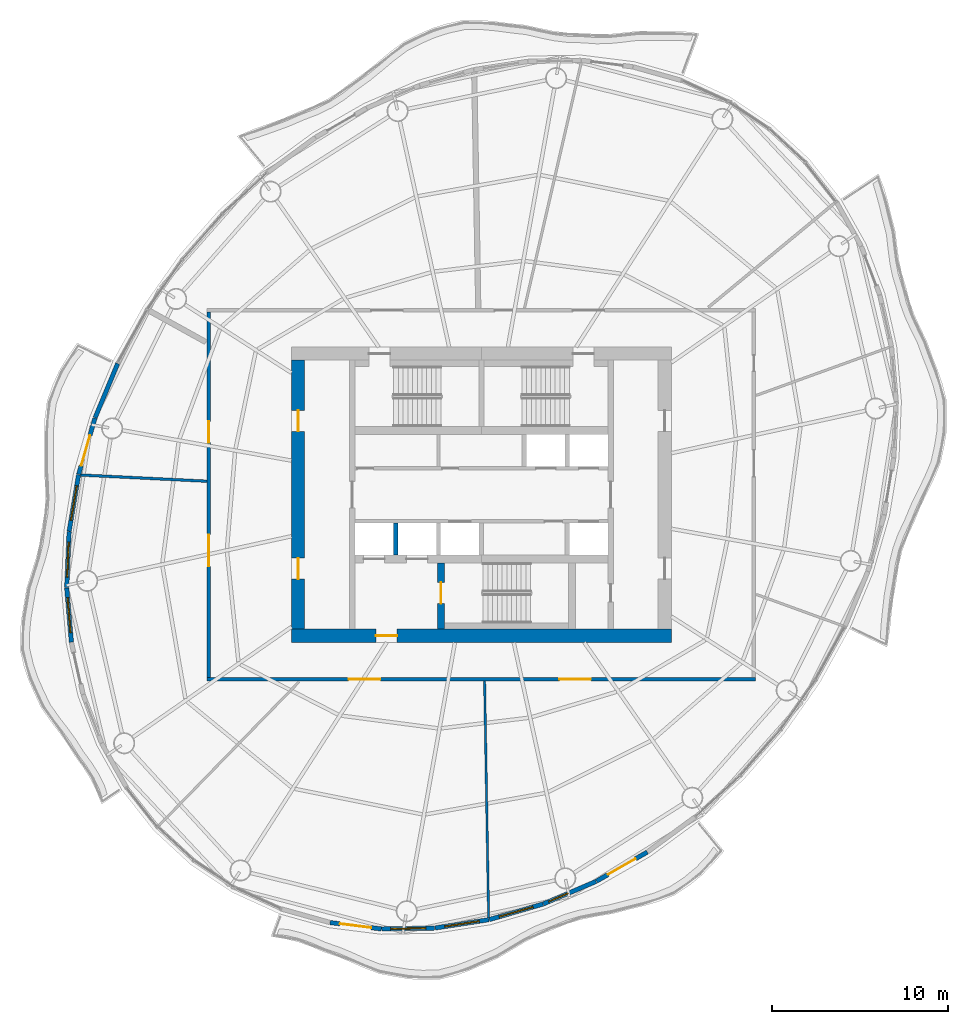
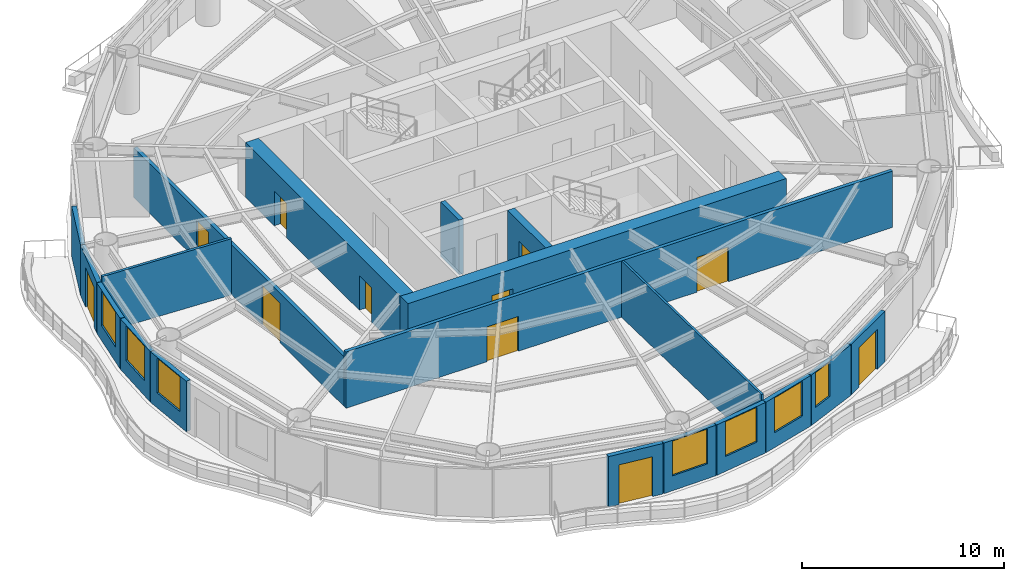
# One storey, part 8 of 14: 19 walls, 11 doors, 7 windows, 18 openings.
"""IFC4 building model written with IfcOpenShell, lengths in metres."""

import ifcopenshell
import ifcopenshell.guid

model = None  # the IFC model being written
_history = None  # IfcOwnerHistory: only IFC2X3 demands one
_inside = {}  # id of a spatial element -> (the spatial element, [elements in it])
_under = {}  # id of a project, library or spatial element -> (it, [spatial elements below it])
_declared = {}  # id of a project -> (the project, [libraries it declares])
_typed = {}  # id of a type object -> (the type object, [elements of that type])
_made_of = {}  # id of a material, layer set ... -> (it, [elements and type objects made of it])


def new_model(schema):
    """Start an empty IFC model of exactly this schema.

    Asked for "IFC4X3", IfcOpenShell would pick the latest addendum, in which some entities
    have other attributes; the version numbers below select the first issue.
    IFC2X3 requires an IfcOwnerHistory on every rooted entity: one is made here for all.
    """
    global model, _history
    if schema == "IFC4X3":
        model = ifcopenshell.file(schema_version=(4, 3, 0, 0))
    else:
        model = ifcopenshell.file(schema=schema)
    _inside.clear()
    _under.clear()
    _declared.clear()
    _typed.clear()
    _made_of.clear()
    _history = None
    if model.schema == "IFC2X3":
        org = make("IfcOrganization", Name="unknown")
        user = make(
            "IfcPersonAndOrganization",
            ThePerson=make("IfcPerson", FamilyName="unknown"),
            TheOrganization=org,
        )
        app = make(
            "IfcApplication",
            ApplicationDeveloper=org,
            Version="unknown",
            ApplicationFullName="unknown",
            ApplicationIdentifier="unknown",
        )
        _history = make(
            "IfcOwnerHistory",
            OwningUser=user,
            OwningApplication=app,
            ChangeAction="ADDED",
            CreationDate=0,
        )
    return model


def make(cls, **values):
    """One entity of the class cls with the attributes given. An attribute that is None is left unset."""
    return model.create_entity(
        cls, **{name: value for name, value in values.items() if value is not None}
    )


def rooted(cls, **values):
    """An entity with a GlobalId (a new one), such as an element, a storey or a relation."""
    return make(cls, GlobalId=ifcopenshell.guid.new(), OwnerHistory=_history, **values)


def si_unit(unit_type, name, prefix=None):
    """IfcSIUnit, for example si_unit("LENGTHUNIT", "METRE", prefix="MILLI")."""
    return make("IfcSIUnit", UnitType=unit_type, Prefix=prefix, Name=name)


def assignment(units):
    """IfcUnitAssignment: the units of a project."""
    return None if units is None else make("IfcUnitAssignment", Units=units)


def point(xyz):
    """IfcCartesianPoint."""
    return None if xyz is None else make("IfcCartesianPoint", Coordinates=xyz)


def direction(xyz):
    """IfcDirection."""
    return None if xyz is None else make("IfcDirection", DirectionRatios=xyz)


def frame(location, z_axis=None, x_axis=None):
    """IfcAxis2Placement3D, a coordinate frame: its origin and axes. An axis left out is left unset."""
    return make(
        "IfcAxis2Placement3D",
        Location=point(location),
        Axis=direction(z_axis),
        RefDirection=direction(x_axis),
    )


def frame_2d(location, x_axis=None):
    """IfcAxis2Placement2D, a coordinate frame in the plane: its origin and x axis."""
    return make(
        "IfcAxis2Placement2D", Location=point(location), RefDirection=direction(x_axis)
    )


def origin():
    """The frame at (0, 0, 0) with its axes left unset."""
    return frame((0.0, 0.0, 0.0))


def place(relative_to, where):
    """IfcLocalPlacement: puts the frame where relative to a parent placement (None: the world)."""
    return make(
        "IfcLocalPlacement", PlacementRelTo=relative_to, RelativePlacement=where
    )


def context(
    kind, dimensions, precision=None, world=None, true_north=None, identifier=None
):
    """IfcGeometricRepresentationContext, for example the 3D "Model" context."""
    return make(
        "IfcGeometricRepresentationContext",
        ContextIdentifier=identifier,
        ContextType=kind,
        CoordinateSpaceDimension=dimensions,
        Precision=precision,
        WorldCoordinateSystem=world,
        TrueNorth=true_north,
    )


def subcontext(parent, identifier, kind, view, scale=None):
    """IfcGeometricRepresentationSubContext, for example "Body" below "Model"."""
    return make(
        "IfcGeometricRepresentationSubContext",
        ContextIdentifier=identifier,
        ContextType=kind,
        ParentContext=parent,
        TargetScale=scale,
        TargetView=view,
    )


def project(units=None, contexts=None):
    """IfcProject with its units and contexts."""
    return rooted(
        "IfcProject",
        Name="project",
        RepresentationContexts=contexts,
        UnitsInContext=assignment(units),
    )


def spatial(cls, under=None, at=None, **own):
    """A site, building, storey or space (cls), placed at a placement, below another one or the project."""
    s = rooted(cls, ObjectPlacement=at, **own)
    if under is not None:
        _under.setdefault(under.id(), (under, []))[1].append(s)
    return s


def profile(cls, at=None, kind="AREA", **sizes):
    """A parametric profile (cls). Its sizes go by their IFC names, for example OverallWidth=200.0."""
    return make(cls, ProfileType=kind, Position=at, **sizes)


def rectangle(**sizes):
    """IfcRectangleProfileDef."""
    return profile("IfcRectangleProfileDef", **sizes)


def extrude(swept, where, along, depth):
    """IfcExtrudedAreaSolid: the profile swept, set in the frame where, extruded along a direction by depth."""
    return make(
        "IfcExtrudedAreaSolid",
        SweptArea=swept,
        Position=where,
        ExtrudedDirection=direction(along),
        Depth=depth,
    )


def shape(context_of_items, identifier, shape_type, items):
    """IfcShapeRepresentation: the items that make up one representation, for example the "Body"."""
    return make(
        "IfcShapeRepresentation",
        ContextOfItems=context_of_items,
        RepresentationIdentifier=identifier,
        RepresentationType=shape_type,
        Items=items,
    )


def material(Name=None, Category=None):
    """IfcMaterial."""
    return make("IfcMaterial", Name=Name, Category=Category)


def layer(
    of_material, thickness, ventilated=None, Name=None, Category=None, Priority=None
):
    """IfcMaterialLayer: one layer of a wall or slab, of a material (None: an air gap)."""
    return make(
        "IfcMaterialLayer",
        Material=of_material,
        LayerThickness=thickness,
        IsVentilated=ventilated,
        Name=Name,
        Category=Category,
        Priority=Priority,
    )


def layer_set(layers, Name=None):
    """IfcMaterialLayerSet."""
    return make("IfcMaterialLayerSet", MaterialLayers=layers, LayerSetName=Name)


def made_of(thing, what):
    """Note that an element or type object is made of a material, layer set ...; save() writes the relation."""
    if what is not None:
        _made_of.setdefault(what.id(), (what, []))[1].append(thing)
    return thing


def type_object(cls, material=None, **own):
    """A type object (cls), such as IfcWallType, which elements share."""
    return made_of(rooted(cls, **own), material)


def element(
    cls,
    number,
    at=None,
    inside=None,
    cuts=None,
    type_object=None,
    material=None,
    context=None,
    identifier="Body",
    shape_type=None,
    held_by="IfcProductDefinitionShape",
    body=None,
    shapes=None,
    **own,
):
    """One element of the class cls, such as IfcWall. Its Tag is "e" and its number.

    at: its placement. inside: the storey or other place that contains it. cuts: it is an
    opening in that element (IfcRelVoidsElement). A single representation is given by context,
    identifier, shape_type and body (its items); several are given by shapes. held_by: the class
    of the entity that holds the representations. save() writes the other relations.
    """
    e = rooted(cls, Tag="e%d" % number, ObjectPlacement=at, **own)
    if body is not None:
        shapes = [shape(context, identifier, shape_type, body)]
    if shapes is not None:
        e.Representation = make(held_by, Representations=shapes)
    if inside is not None:
        _inside.setdefault(inside.id(), (inside, []))[1].append(e)
    if cuts is not None:
        rooted(
            "IfcRelVoidsElement", RelatingBuildingElement=cuts, RelatedOpeningElement=e
        )
    if type_object is not None:
        _typed.setdefault(type_object.id(), (type_object, []))[1].append(e)
    return made_of(e, material)


def fill(opening, filler):
    """IfcRelFillsElement: the door or window that sits in an opening."""
    return rooted(
        "IfcRelFillsElement",
        RelatingOpeningElement=opening,
        RelatedBuildingElement=filler,
    )


def aggregate(whole, parts):
    """IfcRelAggregates: a whole, such as a stair, and the parts it consists of."""
    return rooted("IfcRelAggregates", RelatingObject=whole, RelatedObjects=parts)


def save(model, path):
    """Write the relations noted so far, then the file.

    IfcRelAggregates (storeys below a building ...), IfcRelContainedInSpatialStructure (elements
    in a storey), IfcRelDefinesByType, IfcRelAssociatesMaterial and IfcRelDeclares: one each for
    every whole, place, type object, material and project.
    """
    for whole, parts in _under.values():
        aggregate(whole, parts)
    for where, things in _inside.values():
        rooted(
            "IfcRelContainedInSpatialStructure",
            RelatedElements=things,
            RelatingStructure=where,
        )
    for kind, things in _typed.values():
        rooted("IfcRelDefinesByType", RelatedObjects=things, RelatingType=kind)
    for what, things in _made_of.values():
        rooted("IfcRelAssociatesMaterial", RelatedObjects=things, RelatingMaterial=what)
    for by, libraries in _declared.values():
        rooted("IfcRelDeclares", RelatingContext=by, RelatedDefinitions=libraries)
    model.write(path)


model = new_model("IFC4")

# Units and contexts
model_context = context("Model", 3, precision=1e-05, world=origin(), true_north=direction((0.0, 1.0)))
body_context = subcontext(model_context, "Body", "Model", "MODEL_VIEW")
ifc_project = project(units=[si_unit("LENGTHUNIT", "METRE"), si_unit("AREAUNIT", "SQUARE_METRE"), si_unit("VOLUMEUNIT", "CUBIC_METRE"), si_unit("PLANEANGLEUNIT", "RADIAN"), si_unit("MASSUNIT", "GRAM", prefix="KILO")], contexts=[model_context])

# Site, building, storey
site_placement = place(None, origin())
site = spatial("IfcSite", under=ifc_project, at=site_placement, CompositionType="ELEMENT")
building_placement = place(site_placement, origin())
building = spatial("IfcBuilding", under=site, at=building_placement, Name="Vermilion Reach Broadcast Tower", CompositionType="ELEMENT")
storey_placement = place(building_placement, frame((0.0, 0.0, 238.89990234375)))
storey = spatial("IfcBuildingStorey", under=building, at=storey_placement, Name="L59", CompositionType="ELEMENT", Elevation=238.89990234375)

# Wall, opening, door
ifc_material_1 = material(Name="Concrete C60", Category="concrete")
ifc_layer_1 = layer(ifc_material_1, 0.39990234375)
ifc_layer_set_1 = layer_set([ifc_layer_1], Name="Core inner wall 400 mm Concrete C60")
wall_type_1 = type_object("IfcWallType", Name="Core inner wall 400 mm Concrete C60", PredefinedType="SHEAR", material=ifc_layer_set_1)
wall_1_placement = place(storey_placement, frame((-8.300048828125, -3.8798828125, 0.0), z_axis=(0.0, 0.0, 1.0), x_axis=(0.0, -1.0, 0.0)))
wall_1 = element("IfcWall", 1, at=wall_1_placement, inside=storey, type_object=wall_type_1, Name="L59 core wall wa", PredefinedType="SHEAR", context=body_context, shape_type="SweptSolid", body=[
    extrude(rectangle(XDim=3.77001953125, YDim=0.39990234375, at=frame_2d((1.885009765625, 0.0))), origin(), (0.0, 0.0, 1.0), 3.300048828125),
])
opening_1_placement = place(wall_1_placement, frame((1.110107421875, 0.0, 0.0)))
opening_1 = element("IfcOpeningElement", 2, at=opening_1_placement, cuts=wall_1, Name="Opening D01", PredefinedType="OPENING", context=body_context, shape_type="SweptSolid", body=[
    extrude(rectangle(XDim=1.199951171875, YDim=2.10009765625, at=frame_2d((0.60009765625, 1.050048828125))), frame((0.0, 0.2099609375, 0.0), z_axis=(0.0, -1.0, 0.0), x_axis=(1.0, 0.0, 0.0)), (0.0, 0.0, 1.0), 0.419921875),
])
ifc_material_2 = material(Name="Painted steel fire door", Category="steel")
door_type_1 = type_object("IfcDoorType", Name="Stair door 1200 x 2100", OperationType="DOUBLE_DOOR_SINGLE_SWING", PredefinedType="NOTDEFINED", material=ifc_material_2)
door_1_placement = place(opening_1_placement, origin())
door_1 = element("IfcDoor", 3, at=door_1_placement, inside=storey, type_object=door_type_1, Name="L59 stair door ST3", OperationType="DOUBLE_DOOR_SINGLE_SWING", OverallHeight=2.10009765625, OverallWidth=1.199951171875, PredefinedType="NOTDEFINED", context=body_context, shape_type="SweptSolid", body=[
    extrude(rectangle(XDim=1.199951171875, YDim=2.10009765625, at=frame_2d((0.60009765625, 1.050048828125))), frame((0.0, 0.02490234375, 0.0), z_axis=(0.0, -1.0, 0.0), x_axis=(1.0, 0.0, 0.0)), (0.0, 0.0, 1.0), 0.050048828125),
])
fill(opening_1, door_1)

ifc_material_3 = material(Name="Concrete C60", Category="concrete")
ifc_layer_2 = layer(ifc_material_3, 0.75)
ifc_layer_set_2 = layer_set([ifc_layer_2], Name="Core outer wall 750 mm Concrete C60")
wall_type_2 = type_object("IfcWallType", Name="Core outer wall 750 mm Concrete C60", PredefinedType="SHEAR", material=ifc_layer_set_2)
wall_2_placement = place(storey_placement, frame((-16.800048828125, -8.02490234375, 0.0), z_axis=(0.0, 0.0, 1.0), x_axis=(1.0, 0.0, 0.0)))
wall_2 = element("IfcWall", 4, at=wall_2_placement, inside=storey, type_object=wall_type_2, Name="L59 core wall os", PredefinedType="SHEAR", context=body_context, shape_type="SweptSolid", body=[
    extrude(rectangle(XDim=21.60009765625, YDim=0.75, at=frame_2d((10.800048828125, 0.0))), origin(), (0.0, 0.0, 1.0), 3.300048828125),
])
opening_2_placement = place(wall_2_placement, frame((4.800048828125, 0.0, 0.0)))
opening_2 = element("IfcOpeningElement", 5, at=opening_2_placement, cuts=wall_2, Name="Opening D02", PredefinedType="OPENING", context=body_context, shape_type="SweptSolid", body=[
    extrude(rectangle(XDim=1.199951171875, YDim=2.10009765625, at=frame_2d((0.60009765625, 1.050048828125))), frame((0.0, 0.385009765625, 0.0), z_axis=(0.0, -1.0, 0.0), x_axis=(1.0, 0.0, 0.0)), (0.0, 0.0, 1.0), 0.77001953125),
])
ifc_material_4 = material(Name="Painted steel fire door", Category="steel")
door_type_2 = type_object("IfcDoorType", Name="Firefighting lobby door 1200 x 2100", OperationType="DOUBLE_DOOR_SINGLE_SWING", PredefinedType="NOTDEFINED", material=ifc_material_4)
door_2_placement = place(opening_2_placement, origin())
door_2 = element("IfcDoor", 6, at=door_2_placement, inside=storey, type_object=door_type_2, Name="L59 ffdoor door FFL", OperationType="DOUBLE_DOOR_SINGLE_SWING", OverallHeight=2.10009765625, OverallWidth=1.199951171875, PredefinedType="NOTDEFINED", context=body_context, shape_type="SweptSolid", body=[
    extrude(rectangle(XDim=1.199951171875, YDim=2.10009765625, at=frame_2d((0.60009765625, 1.050048828125))), frame((0.0, 0.02490234375, 0.0), z_axis=(0.0, -1.0, 0.0), x_axis=(1.0, 0.0, 0.0)), (0.0, 0.0, 1.0), 0.050048828125),
])
fill(opening_2, door_2)

# Wall, openings, doors
wall_3_placement = place(storey_placement, frame((-16.425048828125, 7.64990234375, 0.0), z_axis=(0.0, 0.0, 1.0), x_axis=(0.0, -1.0, 0.0)))
wall_3 = element("IfcWall", 7, at=wall_3_placement, inside=storey, type_object=wall_type_2, Name="L59 core wall ow", PredefinedType="SHEAR", context=body_context, shape_type="SweptSolid", body=[
    extrude(rectangle(XDim=15.2998046875, YDim=0.75, at=frame_2d((7.64990234375, 0.0))), origin(), (0.0, 0.0, 1.0), 3.300048828125),
])
opening_3_placement = place(wall_3_placement, frame((11.25, 0.0, 0.0)))
opening_3 = element("IfcOpeningElement", 8, at=opening_3_placement, cuts=wall_3, Name="Opening D03", PredefinedType="OPENING", context=body_context, shape_type="SweptSolid", body=[
    extrude(rectangle(XDim=1.199951171875, YDim=2.10009765625, at=frame_2d((0.60009765625, 1.050048828125))), frame((0.0, 0.385009765625, 0.0), z_axis=(0.0, -1.0, 0.0), x_axis=(1.0, 0.0, 0.0)), (0.0, 0.0, 1.0), 0.77001953125),
])
opening_4_placement = place(wall_3_placement, frame((2.85009765625, 0.0, 0.0)))
opening_4 = element("IfcOpeningElement", 9, at=opening_4_placement, cuts=wall_3, Name="Opening D03", PredefinedType="OPENING", context=body_context, shape_type="SweptSolid", body=[
    extrude(rectangle(XDim=1.199951171875, YDim=2.10009765625, at=frame_2d((0.60009765625, 1.050048828125))), frame((0.0, 0.385009765625, 0.0), z_axis=(0.0, -1.0, 0.0), x_axis=(1.0, 0.0, 0.0)), (0.0, 0.0, 1.0), 0.77001953125),
])
ifc_material_5 = material(Name="Painted steel fire door", Category="steel")
door_type_3 = type_object("IfcDoorType", Name="Core lobby door 1200 x 2100", OperationType="DOUBLE_DOOR_SINGLE_SWING", PredefinedType="NOTDEFINED", material=ifc_material_5)
door_3_placement = place(opening_3_placement, origin())
door_3 = element("IfcDoor", 10, at=door_3_placement, inside=storey, type_object=door_type_3, Name="L59 slot door W0", OperationType="DOUBLE_DOOR_SINGLE_SWING", OverallHeight=2.10009765625, OverallWidth=1.199951171875, PredefinedType="NOTDEFINED", context=body_context, shape_type="SweptSolid", body=[
    extrude(rectangle(XDim=1.199951171875, YDim=2.10009765625, at=frame_2d((0.60009765625, 1.050048828125))), frame((0.0, 0.02490234375, 0.0), z_axis=(0.0, -1.0, 0.0), x_axis=(1.0, 0.0, 0.0)), (0.0, 0.0, 1.0), 0.050048828125),
])
fill(opening_3, door_3)
door_4_placement = place(opening_4_placement, origin())
door_4 = element("IfcDoor", 11, at=door_4_placement, inside=storey, type_object=door_type_3, Name="L59 slot door W1", OperationType="DOUBLE_DOOR_SINGLE_SWING", OverallHeight=2.10009765625, OverallWidth=1.199951171875, PredefinedType="NOTDEFINED", context=body_context, shape_type="SweptSolid", body=[
    extrude(rectangle(XDim=1.199951171875, YDim=2.10009765625, at=frame_2d((0.60009765625, 1.050048828125))), frame((0.0, 0.02490234375, 0.0), z_axis=(0.0, -1.0, 0.0), x_axis=(1.0, 0.0, 0.0)), (0.0, 0.0, 1.0), 0.050048828125),
])
fill(opening_4, door_4)

# Wall
ifc_material_6 = material(Name="Concrete C50", Category="concrete")
ifc_layer_3 = layer(ifc_material_6, 0.25)
ifc_layer_set_3 = layer_set([ifc_layer_3], Name="Core shaft wall 250 mm Concrete C50")
wall_type_3 = type_object("IfcWallType", Name="Core shaft wall 250 mm Concrete C50", PredefinedType="SHEAR", material=ifc_layer_set_3)
wall_4_placement = place(storey_placement, frame((-10.88330078125, -1.60009765625, 0.0), z_axis=(0.0, 0.0, 1.0), x_axis=(0.0, -1.0, 0.0)))
element("IfcWall", 12, at=wall_4_placement, inside=storey, type_object=wall_type_3, Name="L59 core wall psS0", PredefinedType="SHEAR", context=body_context, shape_type="SweptSolid", body=[
    extrude(rectangle(XDim=1.829833984375, YDim=0.25, at=frame_2d((0.9150390625, 0.0))), origin(), (0.0, 0.0, 1.0), 3.300048828125),
])

# Wall, openings, doors
ifc_material_7 = material(Name="Fire-rated gypsum board partition")
ifc_layer_4 = layer(ifc_material_7, 0.199951171875)
ifc_layer_set_4 = layer_set([ifc_layer_4], Name="Corridor wall 200 fire-rated")
wall_type_4 = type_object("IfcWallType", Name="Corridor wall 200 fire-rated", PredefinedType="PARTITIONING", material=ifc_layer_set_4)
wall_5_placement = place(storey_placement, frame((9.60009765625, -10.5, 0.0), z_axis=(0.0, 0.0, 1.0), x_axis=(-1.0, 0.0, 0.0)))
wall_5 = element("IfcWall", 13, at=wall_5_placement, inside=storey, type_object=wall_type_4, Name="Corridor wall 59.S", PredefinedType="PARTITIONING", context=body_context, shape_type="SweptSolid", body=[
    extrude(rectangle(XDim=31.2001953125, YDim=0.199951171875, at=frame_2d((15.60009765625, 0.0))), origin(), (0.0, 0.0, 1.0), 3.400146484375),
])
opening_5_placement = place(wall_5_placement, frame((21.35400390625, 0.0, 0.0)))
opening_5 = element("IfcOpeningElement", 14, at=opening_5_placement, cuts=wall_5, Name="Opening D21", PredefinedType="OPENING", context=body_context, shape_type="SweptSolid", body=[
    extrude(rectangle(XDim=1.800048828125, YDim=2.10009765625, at=frame_2d((0.89990234375, 1.050048828125))), frame((0.0, 0.10986328125, 0.0), z_axis=(0.0, -1.0, 0.0), x_axis=(1.0, 0.0, 0.0)), (0.0, 0.0, 1.0), 0.219970703125),
])
opening_6_placement = place(wall_5_placement, frame((9.368896484375, 0.0, 0.0)))
opening_6 = element("IfcOpeningElement", 15, at=opening_6_placement, cuts=wall_5, Name="Opening D21", PredefinedType="OPENING", context=body_context, shape_type="SweptSolid", body=[
    extrude(rectangle(XDim=1.800048828125, YDim=2.10009765625, at=frame_2d((0.89990234375, 1.050048828125))), frame((0.0, 0.10986328125, 0.0), z_axis=(0.0, -1.0, 0.0), x_axis=(1.0, 0.0, 0.0)), (0.0, 0.0, 1.0), 0.219970703125),
])
ifc_material_8 = material(Name="Timber door leaf", Category="wood")
door_type_4 = type_object("IfcDoorType", Name="Door pair 1800x2100", OperationType="NOTDEFINED", PredefinedType="DOOR", material=ifc_material_8)
door_5_placement = place(opening_5_placement, origin())
door_5 = element("IfcDoor", 16, at=door_5_placement, inside=storey, type_object=door_type_4, Name="Door 59.05", OperationType="DOUBLE_DOOR_SINGLE_SWING", OverallHeight=2.10009765625, OverallWidth=1.800048828125, PredefinedType="DOOR", context=body_context, shape_type="SweptSolid", body=[
    extrude(rectangle(XDim=1.800048828125, YDim=2.10009765625, at=frame_2d((0.89990234375, 1.050048828125))), frame((0.0, 0.02490234375, 0.0), z_axis=(0.0, -1.0, 0.0), x_axis=(1.0, 0.0, 0.0)), (0.0, 0.0, 1.0), 0.050048828125),
])
fill(opening_5, door_5)
door_6_placement = place(opening_6_placement, origin())
door_6 = element("IfcDoor", 17, at=door_6_placement, inside=storey, type_object=door_type_4, Name="Door 59.06", OperationType="DOUBLE_DOOR_SINGLE_SWING", OverallHeight=2.10009765625, OverallWidth=1.800048828125, PredefinedType="DOOR", context=body_context, shape_type="SweptSolid", body=[
    extrude(rectangle(XDim=1.800048828125, YDim=2.10009765625, at=frame_2d((0.89990234375, 1.050048828125))), frame((0.0, 0.02490234375, 0.0), z_axis=(0.0, -1.0, 0.0), x_axis=(1.0, 0.0, 0.0)), (0.0, 0.0, 1.0), 0.050048828125),
])
fill(opening_6, door_6)

# Walls
ifc_material_9 = material(Name="Fire-rated plasterboard on steel stud", Category="steel")
ifc_layer_5 = layer(ifc_material_9, 0.125)
ifc_layer_set_5 = layer_set([ifc_layer_5], Name="Partition 125 fire-rated stud")
wall_type_5 = type_object("IfcWallType", Name="Partition 125 fire-rated stud", PredefinedType="PARTITIONING", material=ifc_layer_set_5)
wall_6_placement = place(storey_placement, frame((-5.59130859375, -24.046875, 0.0), z_axis=(0.0, 0.0, 1.0), x_axis=(-0.016992861456, 0.999855610906, 0.0)))
element("IfcWall", 18, at=wall_6_placement, inside=storey, type_object=wall_type_5, Name="Partition 59.06", PredefinedType="PARTITIONING", context=body_context, shape_type="SweptSolid", body=[
    extrude(rectangle(XDim=13.44775390625, YDim=0.125, at=frame_2d((6.723876953125, 0.0))), origin(), (0.0, 0.0, 1.0), 3.400146484375),
])
ifc_material_10 = material(Name="Lightweight concrete block, plastered", Category="concrete")
ifc_layer_6 = layer(ifc_material_10, 0.14990234375)
ifc_layer_set_6 = layer_set([ifc_layer_6], Name="Partition 150 lightweight block")
wall_type_6 = type_object("IfcWallType", Name="Partition 150 lightweight block", PredefinedType="PARTITIONING", material=ifc_layer_set_6)
wall_7_placement = place(storey_placement, frame((-28.78759765625, 1.11865234375, 0.0), z_axis=(0.0, 0.0, 1.0), x_axis=(0.998796383539, -0.049048794366, 0.0)))
element("IfcWall", 19, at=wall_7_placement, inside=storey, type_object=wall_type_6, Name="Partition 59.04", PredefinedType="PARTITIONING", context=body_context, shape_type="SweptSolid", body=[
    extrude(rectangle(XDim=7.1923828125, YDim=0.14990234375, at=frame_2d((3.59619140625, 0.0))), origin(), (0.0, 0.0, 1.0), 3.400146484375),
])
ifc_material_11 = material(Name="Terracotta rainscreen cladding", Category="masonry")
ifc_layer_7 = layer(ifc_material_11, 0.25)
ifc_layer_set_7 = layer_set([ifc_layer_7], Name="Terracotta rainscreen wall 250")
wall_type_7 = type_object("IfcWallType", Name="Terracotta rainscreen wall 250", PredefinedType="SOLIDWALL", material=ifc_layer_set_7)
wall_8_placement = place(storey_placement, frame((-26.6875, 7.4609375, 0.0), z_axis=(0.0, 0.0, 1.0), x_axis=(-0.384516815747, -0.923117987263, 0.0)))
element("IfcWall", 20, at=wall_8_placement, inside=storey, type_object=wall_type_7, Name="External wall L59 14", PredefinedType="SOLIDWALL", context=body_context, shape_type="SweptSolid", body=[
    extrude(rectangle(XDim=3.341552734375, YDim=0.25, at=frame_2d((1.6708984375, 0.0))), origin(), (0.0, 0.0, 1.0), 3.050048828125),
])

# Wall, opening, door
wall_9_placement = place(storey_placement, frame((-27.979736328125, 4.35546875, 0.0), z_axis=(0.0, 0.0, 1.0), x_axis=(-0.278253906266, -0.960507555227, 0.0)))
wall_9 = element("IfcWall", 21, at=wall_9_placement, inside=storey, type_object=wall_type_7, Name="External wall L59 15", PredefinedType="SOLIDWALL", context=body_context, shape_type="SweptSolid", body=[
    extrude(rectangle(XDim=3.329833984375, YDim=0.25, at=frame_2d((1.6650390625, 0.0))), origin(), (0.0, 0.0, 1.0), 3.050048828125),
])
opening_7_placement = place(wall_9_placement, frame((1.014892578125, 0.0, 0.0)))
opening_7 = element("IfcOpeningElement", 22, at=opening_7_placement, cuts=wall_9, Name="Opening D70", PredefinedType="OPENING", context=body_context, shape_type="SweptSolid", body=[
    extrude(rectangle(XDim=1.800048828125, YDim=2.39990234375, at=frame_2d((0.89990234375, 1.199951171875))), frame((0.0, 0.135009765625, 0.0), z_axis=(0.0, -1.0, 0.0), x_axis=(1.0, 0.0, 0.0)), (0.0, 0.0, 1.0), 0.27001953125),
])
ifc_material_12 = material(Name="Low-e laminated clear glass in aluminium frame", Category="aluminium")
door_type_5 = type_object("IfcDoorType", Name="Balcony sliding door 1800 x 2400", OperationType="DOUBLE_DOOR_SLIDING", PredefinedType="DOOR", material=ifc_material_12)
door_7_placement = place(opening_7_placement, origin())
door_7 = element("IfcDoor", 23, at=door_7_placement, inside=storey, type_object=door_type_5, Name="Balcony door L59 run 04", OperationType="DOUBLE_DOOR_SLIDING", OverallHeight=2.39990234375, OverallWidth=1.800048828125, PredefinedType="DOOR", context=body_context, shape_type="SweptSolid", body=[
    extrude(rectangle(XDim=1.800048828125, YDim=2.39990234375, at=frame_2d((0.89990234375, 1.199951171875))), frame((0.0, 0.02490234375, 0.0), z_axis=(0.0, -1.0, 0.0), x_axis=(1.0, 0.0, 0.0)), (0.0, 0.0, 1.0), 0.050048828125),
])
fill(opening_7, door_7)

# Wall, opening, window
wall_10_placement = place(storey_placement, frame((-28.911376953125, 1.13525390625, 0.0), z_axis=(0.0, 0.0, 1.0), x_axis=(-0.164313973675, -0.986408089005, 0.0)))
wall_10 = element("IfcWall", 24, at=wall_10_placement, inside=storey, type_object=wall_type_7, Name="External wall L59 16", PredefinedType="SOLIDWALL", context=body_context, shape_type="SweptSolid", body=[
    extrude(rectangle(XDim=3.259765625, YDim=0.25, at=frame_2d((1.6298828125, 0.0))), origin(), (0.0, 0.0, 1.0), 3.050048828125),
])
opening_8_placement = place(wall_10_placement, frame((0.6298828125, 0.0, 0.89990234375)))
opening_8 = element("IfcOpeningElement", 25, at=opening_8_placement, cuts=wall_10, Name="Opening W03", PredefinedType="OPENING", context=body_context, shape_type="SweptSolid", body=[
    extrude(rectangle(XDim=2.0, YDim=2.10009765625, at=frame_2d((1.0, 1.050048828125))), frame((0.0, 0.135009765625, 0.0), z_axis=(0.0, -1.0, 0.0), x_axis=(1.0, 0.0, 0.0)), (0.0, 0.0, 1.0), 0.27001953125),
])
ifc_material_13 = material(Name="Low-e laminated clear glass in aluminium frame", Category="aluminium")
window_type_1 = type_object("IfcWindowType", Name="Punched window 2000 x 2100 sill 900", PartitioningType="SINGLE_PANEL", PredefinedType="WINDOW", material=ifc_material_13)
window_1_placement = place(opening_8_placement, origin())
window_1 = element("IfcWindow", 26, at=window_1_placement, inside=storey, type_object=window_type_1, Name="Window L59 16", OverallHeight=2.10009765625, OverallWidth=2.0, PartitioningType="SINGLE_PANEL", PredefinedType="WINDOW", context=body_context, shape_type="SweptSolid", body=[
    extrude(rectangle(XDim=2.0, YDim=2.10009765625, at=frame_2d((1.0, 1.050048828125))), frame((0.0, 0.030029296875, 0.0), z_axis=(0.0, -1.0, 0.0), x_axis=(1.0, 0.0, 0.0)), (0.0, 0.0, 1.0), 0.06005859375),
])
fill(opening_8, window_1)

wall_11_placement = place(storey_placement, frame((-29.449462890625, -2.103271484375, 0.0), z_axis=(0.0, 0.0, 1.0), x_axis=(-0.042837542995, -0.99908205114, 0.0)))
wall_11 = element("IfcWall", 27, at=wall_11_placement, inside=storey, type_object=wall_type_7, Name="External wall L59 17", PredefinedType="SOLIDWALL", context=body_context, shape_type="SweptSolid", body=[
    extrude(rectangle(XDim=3.18017578125, YDim=0.25, at=frame_2d((1.590087890625, 0.0))), origin(), (0.0, 0.0, 1.0), 3.050048828125),
])
opening_9_placement = place(wall_11_placement, frame((0.590087890625, 0.0, 0.89990234375)))
opening_9 = element("IfcOpeningElement", 28, at=opening_9_placement, cuts=wall_11, Name="Opening W03", PredefinedType="OPENING", context=body_context, shape_type="SweptSolid", body=[
    extrude(rectangle(XDim=2.0, YDim=2.10009765625, at=frame_2d((1.0, 1.050048828125))), frame((0.0, 0.135009765625, 0.0), z_axis=(0.0, -1.0, 0.0), x_axis=(1.0, 0.0, 0.0)), (0.0, 0.0, 1.0), 0.27001953125),
])
window_2_placement = place(opening_9_placement, origin())
window_2 = element("IfcWindow", 29, at=window_2_placement, inside=storey, type_object=window_type_1, Name="Window L59 17", OverallHeight=2.10009765625, OverallWidth=2.0, PartitioningType="SINGLE_PANEL", PredefinedType="WINDOW", context=body_context, shape_type="SweptSolid", body=[
    extrude(rectangle(XDim=2.0, YDim=2.10009765625, at=frame_2d((1.0, 1.050048828125))), frame((0.0, 0.030029296875, 0.0), z_axis=(0.0, -1.0, 0.0), x_axis=(1.0, 0.0, 0.0)), (0.0, 0.0, 1.0), 0.06005859375),
])
fill(opening_9, window_2)

wall_12_placement = place(storey_placement, frame((-29.585205078125, -5.304443359375, 0.0), z_axis=(0.0, 0.0, 1.0), x_axis=(0.08534968294, -0.996351058424, 0.0)))
wall_12 = element("IfcWall", 30, at=wall_12_placement, inside=storey, type_object=wall_type_7, Name="External wall L59 18", PredefinedType="SOLIDWALL", context=body_context, shape_type="SweptSolid", body=[
    extrude(rectangle(XDim=3.094970703125, YDim=0.25, at=frame_2d((1.54736328125, 0.0))), origin(), (0.0, 0.0, 1.0), 3.050048828125),
])
opening_10_placement = place(wall_12_placement, frame((0.547607421875, 0.0, 0.89990234375)))
opening_10 = element("IfcOpeningElement", 31, at=opening_10_placement, cuts=wall_12, Name="Opening W03", PredefinedType="OPENING", context=body_context, shape_type="SweptSolid", body=[
    extrude(rectangle(XDim=2.0, YDim=2.10009765625, at=frame_2d((1.0, 1.050048828125))), frame((0.0, 0.135009765625, 0.0), z_axis=(0.0, -1.0, 0.0), x_axis=(1.0, 0.0, 0.0)), (0.0, 0.0, 1.0), 0.27001953125),
])
window_3_placement = place(opening_10_placement, origin())
window_3 = element("IfcWindow", 32, at=window_3_placement, inside=storey, type_object=window_type_1, Name="Window L59 18", OverallHeight=2.10009765625, OverallWidth=2.0, PartitioningType="SINGLE_PANEL", PredefinedType="WINDOW", context=body_context, shape_type="SweptSolid", body=[
    extrude(rectangle(XDim=2.0, YDim=2.10009765625, at=frame_2d((1.0, 1.050048828125))), frame((0.0, 0.030029296875, 0.0), z_axis=(0.0, -1.0, 0.0), x_axis=(1.0, 0.0, 0.0)), (0.0, 0.0, 1.0), 0.06005859375),
])
fill(opening_10, window_3)

# Wall, opening, door
wall_13_placement = place(storey_placement, frame((-14.60595703125, -24.3349609375, 0.0), z_axis=(0.0, 0.0, 1.0), x_axis=(0.992289397798, -0.123942531107, 0.0)))
wall_13 = element("IfcWall", 33, at=wall_13_placement, inside=storey, type_object=wall_type_7, Name="External wall L59 27", PredefinedType="SOLIDWALL", context=body_context, shape_type="SweptSolid", body=[
    extrude(rectangle(XDim=2.93310546875, YDim=0.25, at=frame_2d((1.466552734375, 0.0))), origin(), (0.0, 0.0, 1.0), 3.050048828125),
])
opening_11_placement = place(wall_13_placement, frame((0.56591796875, 0.0, 0.0)))
opening_11 = element("IfcOpeningElement", 34, at=opening_11_placement, cuts=wall_13, Name="Opening D70", PredefinedType="OPENING", context=body_context, shape_type="SweptSolid", body=[
    extrude(rectangle(XDim=1.800048828125, YDim=2.39990234375, at=frame_2d((0.89990234375, 1.199951171875))), frame((0.0, 0.135009765625, 0.0), z_axis=(0.0, -1.0, 0.0), x_axis=(1.0, 0.0, 0.0)), (0.0, 0.0, 1.0), 0.27001953125),
])
door_8_placement = place(opening_11_placement, origin())
door_8 = element("IfcDoor", 35, at=door_8_placement, inside=storey, type_object=door_type_5, Name="Balcony door L59 run 07", OperationType="DOUBLE_DOOR_SLIDING", OverallHeight=2.39990234375, OverallWidth=1.800048828125, PredefinedType="DOOR", context=body_context, shape_type="SweptSolid", body=[
    extrude(rectangle(XDim=1.800048828125, YDim=2.39990234375, at=frame_2d((0.89990234375, 1.199951171875))), frame((0.0, 0.02490234375, 0.0), z_axis=(0.0, -1.0, 0.0), x_axis=(1.0, 0.0, 0.0)), (0.0, 0.0, 1.0), 0.050048828125),
])
fill(opening_11, door_8)

# Wall, opening, window
wall_14_placement = place(storey_placement, frame((-11.669921875, -24.69970703125, 0.0), z_axis=(0.0, 0.0, 1.0), x_axis=(0.999837951795, 0.018001948524, 0.0)))
wall_14 = element("IfcWall", 36, at=wall_14_placement, inside=storey, type_object=wall_type_7, Name="External wall L59 28", PredefinedType="SOLIDWALL", context=body_context, shape_type="SweptSolid", body=[
    extrude(rectangle(XDim=3.0107421875, YDim=0.25, at=frame_2d((1.50537109375, 0.0))), origin(), (0.0, 0.0, 1.0), 3.050048828125),
])
opening_12_placement = place(wall_14_placement, frame((0.50537109375, 0.0, 0.89990234375)))
opening_12 = element("IfcOpeningElement", 37, at=opening_12_placement, cuts=wall_14, Name="Opening W03", PredefinedType="OPENING", context=body_context, shape_type="SweptSolid", body=[
    extrude(rectangle(XDim=2.0, YDim=2.10009765625, at=frame_2d((1.0, 1.050048828125))), frame((0.0, 0.135009765625, 0.0), z_axis=(0.0, -1.0, 0.0), x_axis=(1.0, 0.0, 0.0)), (0.0, 0.0, 1.0), 0.27001953125),
])
window_4_placement = place(opening_12_placement, origin())
window_4 = element("IfcWindow", 38, at=window_4_placement, inside=storey, type_object=window_type_1, Name="Window L59 28", OverallHeight=2.10009765625, OverallWidth=2.0, PartitioningType="SINGLE_PANEL", PredefinedType="WINDOW", context=body_context, shape_type="SweptSolid", body=[
    extrude(rectangle(XDim=2.0, YDim=2.10009765625, at=frame_2d((1.0, 1.050048828125))), frame((0.0, 0.030029296875, 0.0), z_axis=(0.0, -1.0, 0.0), x_axis=(1.0, 0.0, 0.0)), (0.0, 0.0, 1.0), 0.06005859375),
])
fill(opening_12, window_4)

wall_15_placement = place(storey_placement, frame((-8.635009765625, -24.643310546875, 0.0), z_axis=(0.0, 0.0, 1.0), x_axis=(0.988271174428, 0.152709154258, 0.0)))
wall_15 = element("IfcWall", 39, at=wall_15_placement, inside=storey, type_object=wall_type_7, Name="External wall L59 29", PredefinedType="SOLIDWALL", context=body_context, shape_type="SweptSolid", body=[
    extrude(rectangle(XDim=3.09521484375, YDim=0.25, at=frame_2d((1.547607421875, 0.0))), origin(), (0.0, 0.0, 1.0), 3.050048828125),
])
opening_13_placement = place(wall_15_placement, frame((0.547607421875, 0.0, 0.89990234375)))
opening_13 = element("IfcOpeningElement", 40, at=opening_13_placement, cuts=wall_15, Name="Opening W03", PredefinedType="OPENING", context=body_context, shape_type="SweptSolid", body=[
    extrude(rectangle(XDim=2.0, YDim=2.10009765625, at=frame_2d((1.0, 1.050048828125))), frame((0.0, 0.135009765625, 0.0), z_axis=(0.0, -1.0, 0.0), x_axis=(1.0, 0.0, 0.0)), (0.0, 0.0, 1.0), 0.27001953125),
])
window_5_placement = place(opening_13_placement, origin())
window_5 = element("IfcWindow", 41, at=window_5_placement, inside=storey, type_object=window_type_1, Name="Window L59 29", OverallHeight=2.10009765625, OverallWidth=2.0, PartitioningType="SINGLE_PANEL", PredefinedType="WINDOW", context=body_context, shape_type="SweptSolid", body=[
    extrude(rectangle(XDim=2.0, YDim=2.10009765625, at=frame_2d((1.0, 1.050048828125))), frame((0.0, 0.030029296875, 0.0), z_axis=(0.0, -1.0, 0.0), x_axis=(1.0, 0.0, 0.0)), (0.0, 0.0, 1.0), 0.06005859375),
])
fill(opening_13, window_5)

wall_16_placement = place(storey_placement, frame((-5.552734375, -24.16552734375, 0.0), z_axis=(0.0, 0.0, 1.0), x_axis=(0.960582609331, 0.277994695364, 0.0)))
wall_16 = element("IfcWall", 42, at=wall_16_placement, inside=storey, type_object=wall_type_7, Name="External wall L59 30", PredefinedType="SOLIDWALL", context=body_context, shape_type="SweptSolid", body=[
    extrude(rectangle(XDim=3.179931640625, YDim=0.25, at=frame_2d((1.58984375, 0.0))), origin(), (0.0, 0.0, 1.0), 3.050048828125),
])
opening_14_placement = place(wall_16_placement, frame((0.590087890625, 0.0, 0.89990234375)))
opening_14 = element("IfcOpeningElement", 43, at=opening_14_placement, cuts=wall_16, Name="Opening W03", PredefinedType="OPENING", context=body_context, shape_type="SweptSolid", body=[
    extrude(rectangle(XDim=2.0, YDim=2.10009765625, at=frame_2d((1.0, 1.050048828125))), frame((0.0, 0.135009765625, 0.0), z_axis=(0.0, -1.0, 0.0), x_axis=(1.0, 0.0, 0.0)), (0.0, 0.0, 1.0), 0.27001953125),
])
window_6_placement = place(opening_14_placement, origin())
window_6 = element("IfcWindow", 44, at=window_6_placement, inside=storey, type_object=window_type_1, Name="Window L59 30", OverallHeight=2.10009765625, OverallWidth=2.0, PartitioningType="SINGLE_PANEL", PredefinedType="WINDOW", context=body_context, shape_type="SweptSolid", body=[
    extrude(rectangle(XDim=2.0, YDim=2.10009765625, at=frame_2d((1.0, 1.050048828125))), frame((0.0, 0.030029296875, 0.0), z_axis=(0.0, -1.0, 0.0), x_axis=(1.0, 0.0, 0.0)), (0.0, 0.0, 1.0), 0.06005859375),
])
fill(opening_14, window_6)

wall_17_placement = place(storey_placement, frame((-2.47607421875, -23.273681640625, 0.0), z_axis=(0.0, 0.0, 1.0), x_axis=(0.919578355228, 0.39290666652, 0.0)))
wall_17 = element("IfcWall", 45, at=wall_17_placement, inside=storey, type_object=wall_type_7, Name="External wall L59 31", PredefinedType="SOLIDWALL", context=body_context, shape_type="SweptSolid", body=[
    extrude(rectangle(XDim=3.259765625, YDim=0.25, at=frame_2d((1.6298828125, 0.0))), origin(), (0.0, 0.0, 1.0), 3.050048828125),
])
opening_15_placement = place(wall_17_placement, frame((0.330078125, 0.0, 0.89990234375)))
opening_15 = element("IfcOpeningElement", 46, at=opening_15_placement, cuts=wall_17, Name="Opening W05", PredefinedType="OPENING", context=body_context, shape_type="SweptSolid", body=[
    extrude(rectangle(XDim=1.199951171875, YDim=2.10009765625, at=frame_2d((0.60009765625, 1.050048828125))), frame((0.0, 0.135009765625, 0.0), z_axis=(0.0, -1.0, 0.0), x_axis=(1.0, 0.0, 0.0)), (0.0, 0.0, 1.0), 0.27001953125),
])
ifc_material_14 = material(Name="Low-e laminated clear glass in aluminium frame", Category="aluminium")
window_type_2 = type_object("IfcWindowType", Name="Punched window 1200 x 2100 sill 900", PartitioningType="SINGLE_PANEL", PredefinedType="WINDOW", material=ifc_material_14)
window_7_placement = place(opening_15_placement, origin())
window_7 = element("IfcWindow", 47, at=window_7_placement, inside=storey, type_object=window_type_2, Name="Window L59 31", OverallHeight=2.10009765625, OverallWidth=1.199951171875, PartitioningType="SINGLE_PANEL", PredefinedType="WINDOW", context=body_context, shape_type="SweptSolid", body=[
    extrude(rectangle(XDim=1.199951171875, YDim=2.10009765625, at=frame_2d((0.60009765625, 1.050048828125))), frame((0.0, 0.030029296875, 0.0), z_axis=(0.0, -1.0, 0.0), x_axis=(1.0, 0.0, 0.0)), (0.0, 0.0, 1.0), 0.06005859375),
])
fill(opening_15, window_7)

# Wall, opening, door
wall_18_placement = place(storey_placement, frame((0.541748046875, -21.982666015625, 0.0), z_axis=(0.0, 0.0, 1.0), x_axis=(0.867470520989, 0.497488588024, 0.0)))
wall_18 = element("IfcWall", 48, at=wall_18_placement, inside=storey, type_object=wall_type_7, Name="External wall L59 32", PredefinedType="SOLIDWALL", context=body_context, shape_type="SweptSolid", body=[
    extrude(rectangle(XDim=3.329833984375, YDim=0.25, at=frame_2d((1.6650390625, 0.0))), origin(), (0.0, 0.0, 1.0), 3.050048828125),
])
opening_16_placement = place(wall_18_placement, frame((0.764892578125, 0.0, 0.0)))
opening_16 = element("IfcOpeningElement", 49, at=opening_16_placement, cuts=wall_18, Name="Opening D70", PredefinedType="OPENING", context=body_context, shape_type="SweptSolid", body=[
    extrude(rectangle(XDim=1.800048828125, YDim=2.39990234375, at=frame_2d((0.89990234375, 1.199951171875))), frame((0.0, 0.135009765625, 0.0), z_axis=(0.0, -1.0, 0.0), x_axis=(1.0, 0.0, 0.0)), (0.0, 0.0, 1.0), 0.27001953125),
])
door_9_placement = place(opening_16_placement, origin())
door_9 = element("IfcDoor", 50, at=door_9_placement, inside=storey, type_object=door_type_5, Name="Balcony door L59 run 08", OperationType="DOUBLE_DOOR_SLIDING", OverallHeight=2.39990234375, OverallWidth=1.800048828125, PredefinedType="DOOR", context=body_context, shape_type="SweptSolid", body=[
    extrude(rectangle(XDim=1.800048828125, YDim=2.39990234375, at=frame_2d((0.89990234375, 1.199951171875))), frame((0.0, 0.02490234375, 0.0), z_axis=(0.0, -1.0, 0.0), x_axis=(1.0, 0.0, 0.0)), (0.0, 0.0, 1.0), 0.050048828125),
])
fill(opening_16, door_9)

# Wall, openings, doors
ifc_material_15 = material(Name="Fire-rated gypsum board partition")
ifc_layer_8 = layer(ifc_material_15, 0.199951171875)
ifc_layer_set_8 = layer_set([ifc_layer_8], Name="Under girder: Corridor wall 200 fire-rated")
wall_type_8 = type_object("IfcWallType", Name="Under girder: Corridor wall 200 fire-rated", PredefinedType="PARTITIONING", material=ifc_layer_set_8)
wall_19_placement = place(storey_placement, frame((-21.5, -10.39990234375, 0.0), z_axis=(0.0, 0.0, 1.0), x_axis=(0.0, 1.0, 0.0)))
wall_19 = element("IfcWall", 51, at=wall_19_placement, inside=storey, type_object=wall_type_8, Name="Corridor wall 59.W", PredefinedType="PARTITIONING", context=body_context, shape_type="SweptSolid", body=[
    extrude(rectangle(XDim=20.7998046875, YDim=0.199951171875, at=frame_2d((10.39990234375, 0.0))), origin(), (0.0, 0.0, 1.0), 3.0),
])
opening_17_placement = place(wall_19_placement, frame((13.367431640625, 0.0, 0.0)))
opening_17 = element("IfcOpeningElement", 52, at=opening_17_placement, cuts=wall_19, Name="Opening D29", PredefinedType="OPENING", context=body_context, shape_type="SweptSolid", body=[
    extrude(rectangle(XDim=1.199951171875, YDim=2.39990234375, at=frame_2d((0.60009765625, 1.199951171875))), frame((0.0, 0.10986328125, 0.0), z_axis=(0.0, -1.0, 0.0), x_axis=(1.0, 0.0, 0.0)), (0.0, 0.0, 1.0), 0.219970703125),
])
opening_18_placement = place(wall_19_placement, frame((6.326171875, 0.0, 0.0)))
opening_18 = element("IfcOpeningElement", 53, at=opening_18_placement, cuts=wall_19, Name="Opening D27", PredefinedType="OPENING", context=body_context, shape_type="SweptSolid", body=[
    extrude(rectangle(XDim=1.800048828125, YDim=2.39990234375, at=frame_2d((0.89990234375, 1.199951171875))), frame((0.0, 0.10986328125, 0.0), z_axis=(0.0, -1.0, 0.0), x_axis=(1.0, 0.0, 0.0)), (0.0, 0.0, 1.0), 0.219970703125),
])
ifc_material_16 = material(Name="Acoustic timber door leaf", Category="wood")
door_type_6 = type_object("IfcDoorType", Name="Door pair 1800x2400", OperationType="NOTDEFINED", PredefinedType="DOOR", material=ifc_material_16)
door_10_placement = place(opening_18_placement, origin())
door_10 = element("IfcDoor", 54, at=door_10_placement, inside=storey, type_object=door_type_6, Name="Door 59.04", OperationType="DOUBLE_DOOR_SINGLE_SWING", OverallHeight=2.39990234375, OverallWidth=1.800048828125, PredefinedType="DOOR", context=body_context, shape_type="SweptSolid", body=[
    extrude(rectangle(XDim=1.800048828125, YDim=2.39990234375, at=frame_2d((0.89990234375, 1.199951171875))), frame((0.0, 0.02490234375, 0.0), z_axis=(0.0, -1.0, 0.0), x_axis=(1.0, 0.0, 0.0)), (0.0, 0.0, 1.0), 0.050048828125),
])
fill(opening_18, door_10)
ifc_material_17 = material(Name="Veneered timber door leaf", Category="wood")
door_type_7 = type_object("IfcDoorType", Name="Door single 1200x2400", OperationType="NOTDEFINED", PredefinedType="DOOR", material=ifc_material_17)
door_11_placement = place(opening_17_placement, origin())
door_11 = element("IfcDoor", 55, at=door_11_placement, inside=storey, type_object=door_type_7, Name="Door 59.03", OperationType="SINGLE_SWING_LEFT", OverallHeight=2.39990234375, OverallWidth=1.199951171875, PredefinedType="DOOR", context=body_context, shape_type="SweptSolid", body=[
    extrude(rectangle(XDim=1.199951171875, YDim=2.39990234375, at=frame_2d((0.60009765625, 1.199951171875))), frame((0.0, 0.02490234375, 0.0), z_axis=(0.0, -1.0, 0.0), x_axis=(1.0, 0.0, 0.0)), (0.0, 0.0, 1.0), 0.050048828125),
])
fill(opening_17, door_11)

save(model, "model.ifc")
